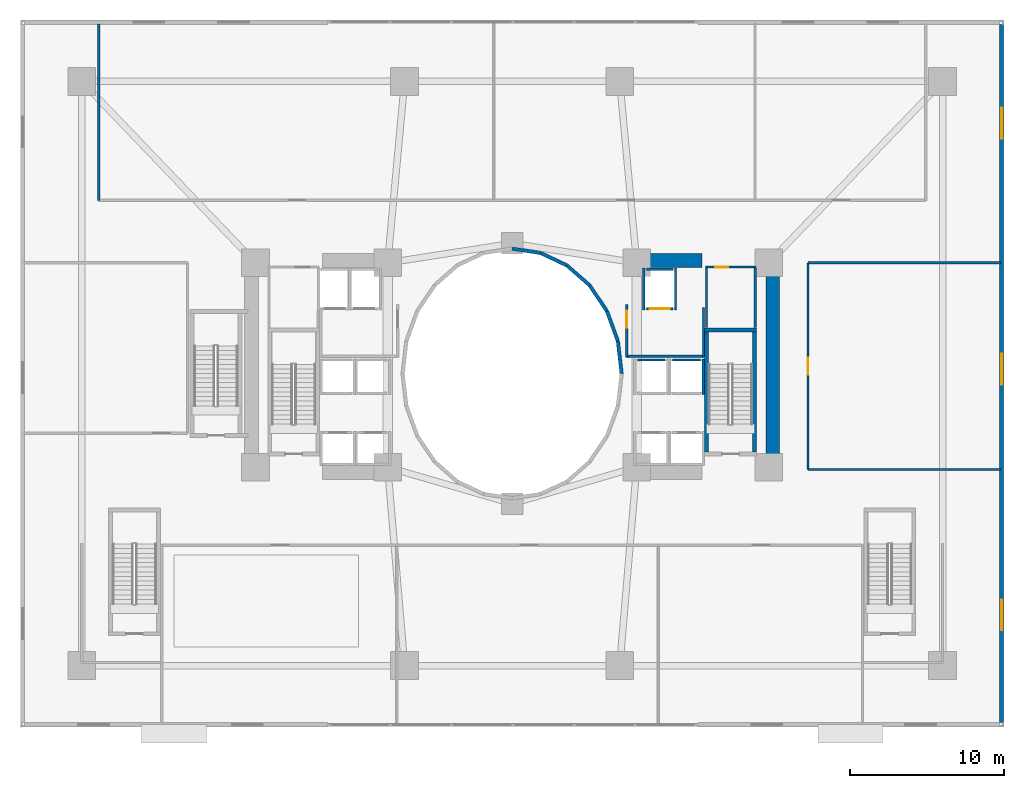
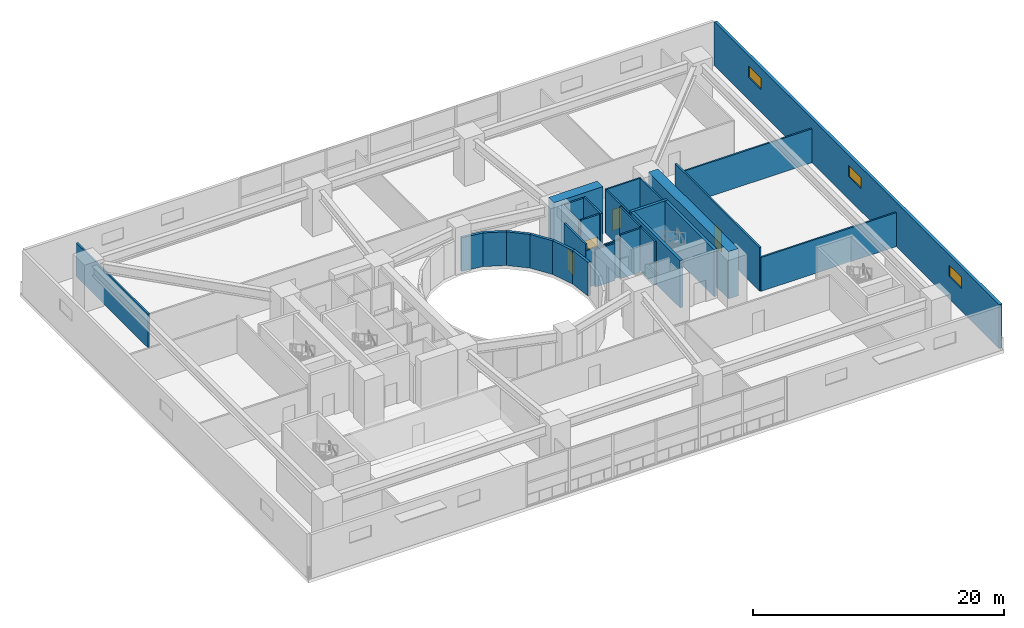
# One storey, part 13 of 20: 29 walls, 4 doors, 3 windows, 7 openings.
"""IFC4 building model written with IfcOpenShell, lengths in metres."""

from ifc_helpers import new_model, si_unit, direction, frame, frame_2d, origin, place, context, subcontext, project, spatial, rectangle, extrude, material, layer, layer_set, type_object, element, fill, save


model = new_model("IFC4")

# Units and contexts
model_context = context("Model", 3, precision=1e-05, world=origin(), true_north=direction((0.0, 1.0)))
body_context = subcontext(model_context, "Body", "Model", "MODEL_VIEW")
ifc_project = project(units=[si_unit("LENGTHUNIT", "METRE"), si_unit("AREAUNIT", "SQUARE_METRE"), si_unit("VOLUMEUNIT", "CUBIC_METRE"), si_unit("PLANEANGLEUNIT", "RADIAN"), si_unit("MASSUNIT", "GRAM", prefix="KILO")], contexts=[model_context])

# Site, building, storey
site_placement = place(None, origin())
site = spatial("IfcSite", under=ifc_project, at=site_placement, CompositionType="ELEMENT")
building_placement = place(site_placement, origin())
building = spatial("IfcBuilding", under=site, at=building_placement, Name="Solvane Sanctuary Tower", CompositionType="ELEMENT")
storey_placement = place(building_placement, frame((0.0, 0.0, 9.199951171875)))
storey = spatial("IfcBuildingStorey", under=building, at=storey_placement, Name="L03", CompositionType="ELEMENT", Elevation=9.199951171875)

# Walls
ifc_material_1 = material(Name="Concrete C70/85", Category="concrete")
ifc_layer_1 = layer(ifc_material_1, 0.89990234375, Name="Concrete C70/85")
ifc_layer_set_1 = layer_set([ifc_layer_1], Name="Concrete C70/85")
wall_type_1 = type_object("IfcWallType", Name="Wall W-CORE-900", PredefinedType="SHEAR", material=ifc_layer_set_1)
wall_1_placement = place(storey_placement, frame((48.949951171875, 17.050048828125, 0.0), z_axis=(0.0, 0.0, 1.0), x_axis=(0.0, 1.0, 0.0)))
element("IfcWall", 1, at=wall_1_placement, inside=storey, type_object=wall_type_1, Name="L03 Core Shear Wall EC-E", PredefinedType="SHEAR", context=body_context, shape_type="SweptSolid", body=[
    extrude(rectangle(XDim=12.800048828125, YDim=0.89990234375, at=frame_2d((6.39990234375, 0.0))), origin(), (0.0, 0.0, 1.0), 4.60009765625),
])
wall_2_placement = place(storey_placement, frame((39.85009765625, 30.35009765625, 0.0), z_axis=(0.0, 0.0, 1.0), x_axis=(1.0, 0.0, 0.0)))
element("IfcWall", 2, at=wall_2_placement, inside=storey, type_object=wall_type_1, Name="L03 Core Shear Wall EC-N", PredefinedType="SHEAR", context=body_context, shape_type="SweptSolid", body=[
    extrude(rectangle(XDim=4.5, YDim=0.89990234375, at=frame_2d((2.25, 0.0))), origin(), (0.0, 0.0, 1.0), 4.60009765625),
])
ifc_material_2 = material(Name="Acoustic Gypsum Partition Board")
ifc_layer_2 = layer(ifc_material_2, 0.14990234375, Name="Acoustic Gypsum Partition Board")
ifc_layer_set_2 = layer_set([ifc_layer_2], Name="Acoustic Gypsum Partition Board")
wall_type_2 = type_object("IfcWallType", Name="Wall W-CORR-150", PredefinedType="PARTITIONING", material=ifc_layer_set_2)
wall_3_placement = place(storey_placement, frame((39.39990234375, 24.1201171875, 0.0), z_axis=(0.0, 0.0, 1.0), x_axis=(1.0, 0.0, 0.0)))
element("IfcWall", 3, at=wall_3_placement, inside=storey, type_object=wall_type_2, Name="L03 East Firefighting Lobby South Wall", PredefinedType="PARTITIONING", context=body_context, shape_type="SweptSolid", body=[
    extrude(rectangle(XDim=5.080078125, YDim=0.14990234375, at=frame_2d((2.5400390625, 0.0))), origin(), (0.0, 0.0, 1.0), 3.6201171875),
])
wall_4_placement = place(storey_placement, frame((44.449951171875, 24.080078125, 0.0), z_axis=(0.0, 0.0, 1.0), x_axis=(0.0, 1.0, 0.0)))
element("IfcWall", 4, at=wall_4_placement, inside=storey, type_object=wall_type_2, Name="L03 East Firefighting Lobby East Wall", PredefinedType="PARTITIONING", context=body_context, shape_type="SweptSolid", body=[
    extrude(rectangle(XDim=3.199951171875, YDim=0.14990234375, at=frame_2d((1.60009765625, 0.0))), origin(), (0.0, 0.0, 1.0), 4.255126953125),
])

# Wall, opening, door
wall_5_placement = place(storey_placement, frame((39.449951171875, 24.080078125, 0.0), z_axis=(0.0, 0.0, 1.0), x_axis=(0.0, 1.0, 0.0)))
wall_5 = element("IfcWall", 5, at=wall_5_placement, inside=storey, type_object=wall_type_2, Name="L03 East Firefighting Lobby West Wall", PredefinedType="PARTITIONING", context=body_context, shape_type="SweptSolid", body=[
    extrude(rectangle(XDim=3.39990234375, YDim=0.14990234375, at=frame_2d((1.699951171875, 0.0))), origin(), (0.0, 0.0, 1.0), 4.255126953125),
])
opening_1_placement = place(wall_5_placement, frame((1.893798828125, 0.0, 0.0)))
opening_1 = element("IfcOpeningElement", 6, at=opening_1_placement, cuts=wall_5, Name="Opening D-L03-07", PredefinedType="OPENING", context=body_context, shape_type="SweptSolid", body=[
    extrude(rectangle(XDim=1.10009765625, YDim=2.10009765625, at=frame_2d((0.550048828125, 1.050048828125))), frame((0.0, 0.0849609375, 0.0), z_axis=(0.0, -1.0, 0.0), x_axis=(1.0, 0.0, 0.0)), (0.0, 0.0, 1.0), 0.169921875),
])
ifc_material_3 = material(Name="Architectural Stainless Steel 316", Category="steel")
door_type_1 = type_object("IfcDoorType", Name="Door D-FFL", OperationType="NOTDEFINED", PredefinedType="DOOR", material=ifc_material_3)
door_1_placement = place(opening_1_placement, origin())
door_1 = element("IfcDoor", 7, at=door_1_placement, inside=storey, type_object=door_type_1, Name="L03 East Firefighting Lobby Fire Door", OperationType="SINGLE_SWING_LEFT", OverallHeight=2.10009765625, OverallWidth=1.10009765625, PredefinedType="DOOR", context=body_context, shape_type="SweptSolid", body=[
    extrude(rectangle(XDim=1.10009765625, YDim=2.10009765625, at=frame_2d((0.550048828125, 1.050048828125))), frame((0.0, 0.02490234375, 0.0), z_axis=(0.0, -1.0, 0.0), x_axis=(1.0, 0.0, 0.0)), (0.0, 0.0, 1.0), 0.050048828125),
])
fill(opening_1, door_1)

# Wall
wall_6_placement = place(storey_placement, frame((5.10009765625, 34.27001953125, 0.0), z_axis=(0.0, 0.0, 1.0), x_axis=(0.0, 1.0, 0.0)))
element("IfcWall", 8, at=wall_6_placement, inside=storey, type_object=wall_type_2, Name="L03 North Hall West Wall", PredefinedType="PARTITIONING", context=body_context, shape_type="SweptSolid", body=[
    extrude(rectangle(XDim=11.47998046875, YDim=0.14990234375, at=frame_2d((5.739990234375, 0.0))), origin(), (0.0, 0.0, 1.0), 3.300048828125),
])

# Wall, opening, door
wall_7_placement = place(storey_placement, frame((51.25, 16.75, 0.0), z_axis=(0.0, 0.0, 1.0), x_axis=(0.0, 1.0, 0.0)))
wall_7 = element("IfcWall", 9, at=wall_7_placement, inside=storey, type_object=wall_type_2, Name="L03 East Sanctuary Corridor Wall", PredefinedType="PARTITIONING", context=body_context, shape_type="SweptSolid", body=[
    extrude(rectangle(XDim=13.449951171875, YDim=0.14990234375, at=frame_2d((6.72509765625, 0.0))), origin(), (0.0, 0.0, 1.0), 4.255126953125),
])
opening_2_placement = place(wall_7_placement, frame((6.175048828125, 0.0, 0.0)))
opening_2 = element("IfcOpeningElement", 10, at=opening_2_placement, cuts=wall_7, Name="Opening D-L03-14", PredefinedType="OPENING", context=body_context, shape_type="SweptSolid", body=[
    extrude(rectangle(XDim=1.10009765625, YDim=2.10009765625, at=frame_2d((0.550048828125, 1.050048828125))), frame((0.0, 0.0849609375, 0.0), z_axis=(0.0, -1.0, 0.0), x_axis=(1.0, 0.0, 0.0)), (0.0, 0.0, 1.0), 0.169921875),
])
door_2_placement = place(opening_2_placement, origin())
door_2 = element("IfcDoor", 11, at=door_2_placement, inside=storey, type_object=door_type_1, Name="L03 OFF-C Office Door", OperationType="SINGLE_SWING_RIGHT", OverallHeight=2.10009765625, OverallWidth=1.10009765625, PredefinedType="DOOR", context=body_context, shape_type="SweptSolid", body=[
    extrude(rectangle(XDim=1.10009765625, YDim=2.10009765625, at=frame_2d((0.550048828125, 1.050048828125))), frame((0.0, 0.02490234375, 0.0), z_axis=(0.0, -1.0, 0.0), x_axis=(1.0, 0.0, 0.0)), (0.0, 0.0, 1.0), 0.050048828125),
])
fill(opening_2, door_2)

# Walls
for number, where, z_axis, x_axis, name in (
    (12, (51.25, 16.75, 0.0), (0.0, 0.0, 1.0), (1.0, 0.0, 0.0), "L03 East Sanctuary South Wall"),
    (13, (51.25, 30.199951171875, 0.0), (0.0, 0.0, 1.0), (1.0, 0.0, 0.0), "L03 East Sanctuary North Wall"),
):
    element("IfcWall", number, at=place(storey_placement, frame(where, z_axis=z_axis, x_axis=x_axis)), inside=storey, type_object=wall_type_2, Name=name, PredefinedType="PARTITIONING", context=body_context, shape_type="SweptSolid", body=[
        extrude(rectangle(XDim=12.530029296875, YDim=0.14990234375, at=frame_2d((6.26513671875, 0.0))), origin(), (0.0, 0.0, 1.0), 3.300048828125),
    ])

# Wall, openings, windows
ifc_material_4 = material(Name="Precast concrete C40/50", Category="concrete")
ifc_layer_3 = layer(ifc_material_4, 0.260009765625, Name="Precast concrete C40/50")
ifc_layer_set_3 = layer_set([ifc_layer_3], Name="Precast concrete C40/50")
wall_type_3 = type_object("IfcWallType", Name="Wall W-EXT-250", PredefinedType="STANDARD", material=ifc_layer_set_3)
wall_8_placement = place(storey_placement, frame((63.85009765625, 0.280029296875, 0.0), z_axis=(0.0, 0.0, 1.0), x_axis=(0.0, 1.0, 0.0)))
wall_8 = element("IfcWall", 14, at=wall_8_placement, inside=storey, type_object=wall_type_3, Name="L03 Podium Facade Wall E1", PredefinedType="STANDARD", context=body_context, shape_type="SweptSolid", body=[
    extrude(rectangle(XDim=45.43994140625, YDim=0.260009765625, at=frame_2d((22.719970703125, 0.0))), origin(), (0.0, 0.0, 1.0), 4.280029296875),
])
opening_3_placement = place(wall_8_placement, frame((6.0, 0.0, 2.199951171875)))
opening_3 = element("IfcOpeningElement", 15, at=opening_3_placement, cuts=wall_8, Name="Opening WN-CLER-2000", PredefinedType="OPENING", context=body_context, shape_type="SweptSolid", body=[
    extrude(rectangle(XDim=2.0, YDim=1.10009765625, at=frame_2d((1.0, 0.550048828125))), frame((0.0, 0.139892578125, 0.0), z_axis=(0.0, -1.0, 0.0), x_axis=(1.0, 0.0, 0.0)), (0.0, 0.0, 1.0), 0.280029296875),
])
opening_4_placement = place(wall_8_placement, frame((22.0, 0.0, 2.199951171875)))
opening_4 = element("IfcOpeningElement", 16, at=opening_4_placement, cuts=wall_8, Name="Opening WN-CLER-2000", PredefinedType="OPENING", context=body_context, shape_type="SweptSolid", body=[
    extrude(rectangle(XDim=2.0, YDim=1.10009765625, at=frame_2d((1.0, 0.550048828125))), frame((0.0, 0.139892578125, 0.0), z_axis=(0.0, -1.0, 0.0), x_axis=(1.0, 0.0, 0.0)), (0.0, 0.0, 1.0), 0.280029296875),
])
opening_5_placement = place(wall_8_placement, frame((38.0, 0.0, 2.199951171875)))
opening_5 = element("IfcOpeningElement", 17, at=opening_5_placement, cuts=wall_8, Name="Opening WN-CLER-2000", PredefinedType="OPENING", context=body_context, shape_type="SweptSolid", body=[
    extrude(rectangle(XDim=2.0, YDim=1.10009765625, at=frame_2d((1.0, 0.550048828125))), frame((0.0, 0.139892578125, 0.0), z_axis=(0.0, -1.0, 0.0), x_axis=(1.0, 0.0, 0.0)), (0.0, 0.0, 1.0), 0.280029296875),
])
ifc_material_5 = material(Name="Dark Ceramic-Fritted Low-E Glass", Category="glass")
window_type = type_object("IfcWindowType", Name="Window WN-CLER-2000", PartitioningType="SINGLE_PANEL", PredefinedType="WINDOW", material=ifc_material_5)
window_1_placement = place(opening_3_placement, origin())
window_1 = element("IfcWindow", 18, at=window_1_placement, inside=storey, type_object=window_type, Name="L03 Podium Window E1-6", OverallHeight=1.10009765625, OverallWidth=2.0, PartitioningType="SINGLE_PANEL", PredefinedType="WINDOW", context=body_context, shape_type="SweptSolid", body=[
    extrude(rectangle(XDim=2.0, YDim=1.10009765625, at=frame_2d((1.0, 0.550048828125))), frame((0.0, 0.030029296875, 0.0), z_axis=(0.0, -1.0, 0.0), x_axis=(1.0, 0.0, 0.0)), (0.0, 0.0, 1.0), 0.06005859375),
])
fill(opening_3, window_1)
window_2_placement = place(opening_4_placement, origin())
window_2 = element("IfcWindow", 19, at=window_2_placement, inside=storey, type_object=window_type, Name="L03 Podium Window E1-22", OverallHeight=1.10009765625, OverallWidth=2.0, PartitioningType="SINGLE_PANEL", PredefinedType="WINDOW", context=body_context, shape_type="SweptSolid", body=[
    extrude(rectangle(XDim=2.0, YDim=1.10009765625, at=frame_2d((1.0, 0.550048828125))), frame((0.0, 0.030029296875, 0.0), z_axis=(0.0, -1.0, 0.0), x_axis=(1.0, 0.0, 0.0)), (0.0, 0.0, 1.0), 0.06005859375),
])
fill(opening_4, window_2)
window_3_placement = place(opening_5_placement, origin())
window_3 = element("IfcWindow", 20, at=window_3_placement, inside=storey, type_object=window_type, Name="L03 Podium Window E1-38", OverallHeight=1.10009765625, OverallWidth=2.0, PartitioningType="SINGLE_PANEL", PredefinedType="WINDOW", context=body_context, shape_type="SweptSolid", body=[
    extrude(rectangle(XDim=2.0, YDim=1.10009765625, at=frame_2d((1.0, 0.550048828125))), frame((0.0, 0.030029296875, 0.0), z_axis=(0.0, -1.0, 0.0), x_axis=(1.0, 0.0, 0.0)), (0.0, 0.0, 1.0), 0.06005859375),
])
fill(opening_5, window_3)

# Walls
ifc_layer_4 = layer(ifc_material_4, 0.22998046875, Name="Precast concrete C40/50")
ifc_layer_set_4 = layer_set([ifc_layer_4], Name="Precast concrete C40/50")
wall_type_4 = type_object("IfcWallType", Name="Wall W-EXT-SP220", PredefinedType="STANDARD", material=ifc_layer_set_4)
wall_9_placement = place(storey_placement, frame((39.1201171875, 23.0, 0.0), z_axis=(0.0, 0.0, 1.0), x_axis=(-0.114711713601, 0.993398823617, 0.0)))
element("IfcWall", 21, at=wall_9_placement, inside=storey, type_object=wall_type_4, Name="L03 Light-Well Enclosure Wall 00", PredefinedType="STANDARD", context=body_context, shape_type="SweptSolid", body=[
    extrude(rectangle(XDim=2.115478515625, YDim=0.22998046875, at=frame_2d((1.0576171875, 0.0))), origin(), (0.0, 0.0, 1.0), 3.280029296875),
])
wall_10_placement = place(storey_placement, frame((38.87744140625, 25.1015625, 0.0), z_axis=(0.0, 0.0, 1.0), x_axis=(-0.341423187295, 0.93990968033, 0.0)))
element("IfcWall", 22, at=wall_10_placement, inside=storey, type_object=wall_type_4, Name="L03 Light-Well Enclosure Wall 01", PredefinedType="STANDARD", context=body_context, shape_type="SweptSolid", body=[
    extrude(rectangle(XDim=2.083740234375, YDim=0.22998046875, at=frame_2d((1.0419921875, 0.0))), origin(), (0.0, 0.0, 1.0), 3.280029296875),
])
wall_11_placement = place(storey_placement, frame((38.166015625, 27.06005859375, 0.0), z_axis=(0.0, 0.0, 1.0), x_axis=(-0.558197800898, 0.829707909492, 0.0)))
element("IfcWall", 23, at=wall_11_placement, inside=storey, type_object=wall_type_4, Name="L03 Light-Well Enclosure Wall 02", PredefinedType="STANDARD", context=body_context, shape_type="SweptSolid", body=[
    extrude(rectangle(XDim=2.02685546875, YDim=0.22998046875, at=frame_2d((1.013427734375, 0.0))), origin(), (0.0, 0.0, 1.0), 3.280029296875),
])
wall_12_placement = place(storey_placement, frame((37.03466796875, 28.74169921875, 0.0), z_axis=(0.0, 0.0, 1.0), x_axis=(-0.752576694707, 0.658504607869, 0.0)))
element("IfcWall", 24, at=wall_12_placement, inside=storey, type_object=wall_type_4, Name="L03 Light-Well Enclosure Wall 03", PredefinedType="STANDARD", context=body_context, shape_type="SweptSolid", body=[
    extrude(rectangle(XDim=1.95947265625, YDim=0.22998046875, at=frame_2d((0.979736328125, 0.0))), origin(), (0.0, 0.0, 1.0), 3.280029296875),
])
wall_13_placement = place(storey_placement, frame((35.56005859375, 30.031982421875, 0.0), z_axis=(0.0, 0.0, 1.0), x_axis=(-0.904179699603, 0.427152280606, 0.0)))
element("IfcWall", 25, at=wall_13_placement, inside=storey, type_object=wall_type_4, Name="L03 Light-Well Enclosure Wall 04", PredefinedType="STANDARD", context=body_context, shape_type="SweptSolid", body=[
    extrude(rectangle(XDim=1.899169921875, YDim=0.22998046875, at=frame_2d((0.94970703125, 0.0))), origin(), (0.0, 0.0, 1.0), 3.280029296875),
])
wall_14_placement = place(storey_placement, frame((33.8427734375, 30.84326171875, 0.0), z_axis=(0.0, 0.0, 1.0), x_axis=(-0.988901730308, 0.148571086668, 0.0)))
element("IfcWall", 26, at=wall_14_placement, inside=storey, type_object=wall_type_4, Name="L03 Light-Well Enclosure Wall 05", PredefinedType="STANDARD", context=body_context, shape_type="SweptSolid", body=[
    extrude(rectangle(XDim=1.863525390625, YDim=0.22998046875, at=frame_2d((0.931640625, 0.0))), origin(), (0.0, 0.0, 1.0), 3.280029296875),
])
ifc_material_6 = material(Name="Concrete C50/60", Category="concrete")
ifc_layer_5 = layer(ifc_material_6, 0.14990234375, Name="Concrete C50/60")
ifc_layer_set_5 = layer_set([ifc_layer_5], Name="Concrete C50/60")
wall_type_5 = type_object("IfcWallType", Name="Wall W-SHAFT-150", PredefinedType="SOLIDWALL", material=ifc_layer_set_5)
wall_15_placement = place(storey_placement, frame((42.43994140625, 23.8798828125, 0.0), z_axis=(0.0, 0.0, 1.0), x_axis=(1.0, 0.0, 0.0)))
element("IfcWall", 27, at=wall_15_placement, inside=storey, type_object=wall_type_5, Name="L03 PM-2 Lift Shaft Wall B", PredefinedType="SOLIDWALL", context=body_context, shape_type="SweptSolid", body=[
    extrude(rectangle(XDim=1.820068359375, YDim=0.14990234375, at=frame_2d((0.91015625, 0.0))), origin(), (0.0, 0.0, 1.0), 4.255126953125),
])
wall_16_placement = place(storey_placement, frame((44.429931640625, 21.639892578125, 0.0), z_axis=(0.0, 0.0, 1.0), x_axis=(0.0, 1.0, 0.0)))
element("IfcWall", 28, at=wall_16_placement, inside=storey, type_object=wall_type_5, Name="L03 PM-2 Lift Shaft Wall S2", PredefinedType="SOLIDWALL", context=body_context, shape_type="SweptSolid", body=[
    extrude(rectangle(XDim=2.320068359375, YDim=0.14990234375, at=frame_2d((1.16015625, 0.0))), origin(), (0.0, 0.0, 1.0), 4.255126953125),
])
wall_17_placement = place(storey_placement, frame((40.139892578125, 23.8798828125, 0.0), z_axis=(0.0, 0.0, 1.0), x_axis=(1.0, 0.0, 0.0)))
element("IfcWall", 29, at=wall_17_placement, inside=storey, type_object=wall_type_5, Name="L03 PH-2 Lift Shaft Wall B", PredefinedType="SOLIDWALL", context=body_context, shape_type="SweptSolid", body=[
    extrude(rectangle(XDim=1.820068359375, YDim=0.14990234375, at=frame_2d((0.91015625, 0.0))), origin(), (0.0, 0.0, 1.0), 3.6201171875),
])

# Wall, opening, door
wall_18_placement = place(storey_placement, frame((40.739990234375, 27.219970703125, 0.0), z_axis=(0.0, 0.0, 1.0), x_axis=(1.0, 0.0, 0.0)))
wall_18 = element("IfcWall", 30, at=wall_18_placement, inside=storey, type_object=wall_type_5, Name="L03 FFL-2 Lift Shaft Wall F", PredefinedType="SOLIDWALL", context=body_context, shape_type="SweptSolid", body=[
    extrude(rectangle(XDim=1.719970703125, YDim=0.14990234375, at=frame_2d((0.85986328125, 0.0))), origin(), (0.0, 0.0, 1.0), 4.255126953125),
])
opening_6_placement = place(wall_18_placement, frame((0.2099609375, 0.0, 0.0)))
opening_6 = element("IfcOpeningElement", 31, at=opening_6_placement, cuts=wall_18, Name="Opening LD-L03-07", PredefinedType="OPENING", context=body_context, shape_type="SweptSolid", body=[
    extrude(rectangle(XDim=1.300048828125, YDim=2.10009765625, at=frame_2d((0.64990234375, 1.050048828125))), frame((0.0, 0.0849609375, 0.0), z_axis=(0.0, -1.0, 0.0), x_axis=(1.0, 0.0, 0.0)), (0.0, 0.0, 1.0), 0.169921875),
])
door_type_2 = type_object("IfcDoorType", Name="Door LD-FFL-1300", OperationType="NOTDEFINED", PredefinedType="DOOR", material=ifc_material_3)
door_3_placement = place(opening_6_placement, origin())
door_3 = element("IfcDoor", 32, at=door_3_placement, inside=storey, type_object=door_type_2, Name="L03 FFL-2 Lift Landing Door", OperationType="DOUBLE_DOOR_SLIDING", OverallHeight=2.10009765625, OverallWidth=1.300048828125, PredefinedType="DOOR", context=body_context, shape_type="SweptSolid", body=[
    extrude(rectangle(XDim=1.300048828125, YDim=2.10009765625, at=frame_2d((0.64990234375, 1.050048828125))), frame((0.0, 0.02490234375, 0.0), z_axis=(0.0, -1.0, 0.0), x_axis=(1.0, 0.0, 0.0)), (0.0, 0.0, 1.0), 0.050048828125),
])
fill(opening_6, door_3)

# Walls
wall_19_placement = place(storey_placement, frame((40.739990234375, 29.780029296875, 0.0), z_axis=(0.0, 0.0, 1.0), x_axis=(1.0, 0.0, 0.0)))
element("IfcWall", 33, at=wall_19_placement, inside=storey, type_object=wall_type_5, Name="L03 FFL-2 Lift Shaft Wall B", PredefinedType="SOLIDWALL", context=body_context, shape_type="SweptSolid", body=[
    extrude(rectangle(XDim=1.719970703125, YDim=0.14990234375, at=frame_2d((0.85986328125, 0.0))), origin(), (0.0, 0.0, 1.0), 4.255126953125),
])
for number, where, z_axis, x_axis, name in (
    (34, (40.570068359375, 27.139892578125, 0.0), (0.0, 0.0, 1.0), (0.0, 1.0, 0.0), "L03 FFL-2 Lift Shaft Wall S1"),
    (35, (42.6298828125, 27.139892578125, 0.0), (0.0, 0.0, 1.0), (0.0, 1.0, 0.0), "L03 FFL-2 Lift Shaft Wall S2"),
):
    element("IfcWall", number, at=place(storey_placement, frame(where, z_axis=z_axis, x_axis=x_axis)), inside=storey, type_object=wall_type_5, Name=name, PredefinedType="SOLIDWALL", context=body_context, shape_type="SweptSolid", body=[
        extrude(rectangle(XDim=2.72021484375, YDim=0.14990234375, at=frame_2d((1.360107421875, 0.0))), origin(), (0.0, 0.0, 1.0), 4.255126953125),
    ])
ifc_layer_6 = layer(ifc_material_6, 0.25, Name="Concrete C50/60")
ifc_layer_set_6 = layer_set([ifc_layer_6], Name="Concrete C50/60")
wall_type_6 = type_object("IfcWallType", Name="Wall W-SHAFT-250", PredefinedType="SOLIDWALL", material=ifc_layer_set_6)
wall_20_placement = place(storey_placement, frame((44.52490234375, 25.830078125, 0.0), z_axis=(0.0, 0.0, 1.0), x_axis=(1.0, 0.0, 0.0)))
element("IfcWall", 36, at=wall_20_placement, inside=storey, type_object=wall_type_6, Name="L03 ST-2 Load-Bearing Shaft Wall N", PredefinedType="SOLIDWALL", context=body_context, shape_type="SweptSolid", body=[
    extrude(rectangle(XDim=3.3701171875, YDim=0.25, at=frame_2d((1.68505859375, 0.0))), origin(), (0.0, 0.0, 1.0), 4.60009765625),
])
for number, where, z_axis, x_axis, name in (
    (37, (44.64990234375, 17.89501953125, 0.0), (0.0, 0.0, 1.0), (0.0, 1.0, 0.0), "L03 ST-2 Load-Bearing Shaft Wall W"),
    (38, (47.77001953125, 17.89501953125, 0.0), (0.0, 0.0, 1.0), (0.0, 1.0, 0.0), "L03 ST-2 Load-Bearing Shaft Wall E"),
):
    element("IfcWall", number, at=place(storey_placement, frame(where, z_axis=z_axis, x_axis=x_axis)), inside=storey, type_object=wall_type_6, Name=name, PredefinedType="SOLIDWALL", context=body_context, shape_type="SweptSolid", body=[
        extrude(rectangle(XDim=7.81005859375, YDim=0.25, at=frame_2d((3.905029296875, 0.0))), origin(), (0.0, 0.0, 1.0), 4.60009765625),
    ])

# Wall, opening, door
ifc_layer_7 = layer(ifc_material_2, 0.139892578125, Name="Acoustic Gypsum Partition Board")
ifc_layer_set_7 = layer_set([ifc_layer_7], Name="Acoustic Gypsum Partition Board")
wall_type_7 = type_object("IfcWallType", Name="Wall W-WET-140", PredefinedType="PLUMBINGWALL", material=ifc_layer_set_7)
wall_21_placement = place(storey_placement, frame((44.580078125, 29.919921875, 0.0), z_axis=(0.0, 0.0, 1.0), x_axis=(1.0, 0.0, 0.0)))
wall_21 = element("IfcWall", 39, at=wall_21_placement, inside=storey, type_object=wall_type_7, Name="L03 Core Store Front Wall", PredefinedType="PLUMBINGWALL", context=body_context, shape_type="SweptSolid", body=[
    extrude(rectangle(XDim=3.2998046875, YDim=0.139892578125, at=frame_2d((1.64990234375, 0.0))), origin(), (0.0, 0.0, 1.0), 4.255126953125),
])
opening_7_placement = place(wall_21_placement, frame((0.643310546875, 0.0, 0.0)))
opening_7 = element("IfcOpeningElement", 40, at=opening_7_placement, cuts=wall_21, Name="Opening D-L03-17", PredefinedType="OPENING", context=body_context, shape_type="SweptSolid", body=[
    extrude(rectangle(XDim=0.85009765625, YDim=2.050048828125, at=frame_2d((0.425048828125, 1.02490234375))), frame((0.0, 0.079833984375, 0.0), z_axis=(0.0, -1.0, 0.0), x_axis=(1.0, 0.0, 0.0)), (0.0, 0.0, 1.0), 0.159912109375),
])
door_type_3 = type_object("IfcDoorType", Name="Door D-RISER", OperationType="NOTDEFINED", PredefinedType="DOOR", material=ifc_material_3)
door_4_placement = place(opening_7_placement, origin())
door_4 = element("IfcDoor", 41, at=door_4_placement, inside=storey, type_object=door_type_3, Name="L03 Core Store Door", OperationType="SINGLE_SWING_LEFT", OverallHeight=2.050048828125, OverallWidth=0.85009765625, PredefinedType="DOOR", context=body_context, shape_type="SweptSolid", body=[
    extrude(rectangle(XDim=0.85009765625, YDim=2.050048828125, at=frame_2d((0.425048828125, 1.02490234375))), frame((0.0, 0.02490234375, 0.0), z_axis=(0.0, -1.0, 0.0), x_axis=(1.0, 0.0, 0.0)), (0.0, 0.0, 1.0), 0.050048828125),
])
fill(opening_7, door_4)

# Walls
for number, where, z_axis, x_axis, name in (
    (42, (44.639892578125, 25.97998046875, 0.0), (0.0, 0.0, 1.0), (0.0, 1.0, 0.0), "L03 Core Store West Wall"),
    (43, (47.820068359375, 25.97998046875, 0.0), (0.0, 0.0, 1.0), (0.0, 1.0, 0.0), "L03 Core Store East Wall"),
):
    element("IfcWall", number, at=place(storey_placement, frame(where, z_axis=z_axis, x_axis=x_axis)), inside=storey, type_object=wall_type_7, Name=name, PredefinedType="PLUMBINGWALL", context=body_context, shape_type="SweptSolid", body=[
        extrude(rectangle(XDim=3.880126953125, YDim=0.139892578125, at=frame_2d((1.93994140625, 0.0))), origin(), (0.0, 0.0, 1.0), 4.255126953125),
    ])

save(model, "model.ifc")
